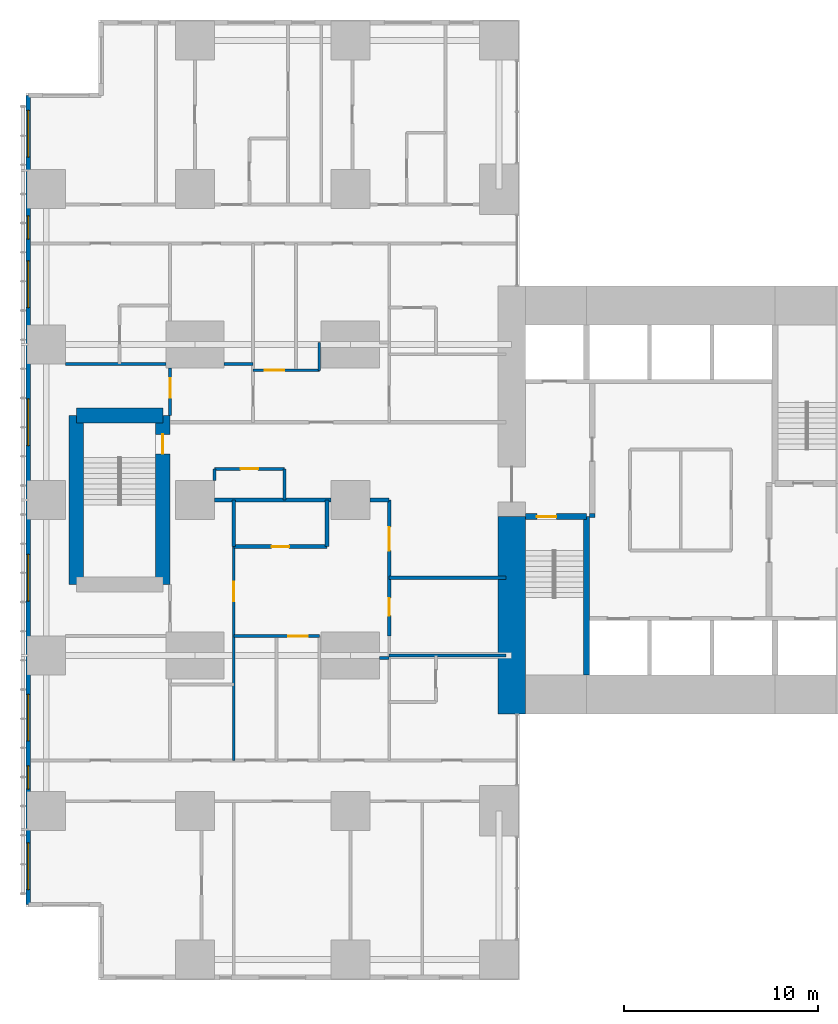
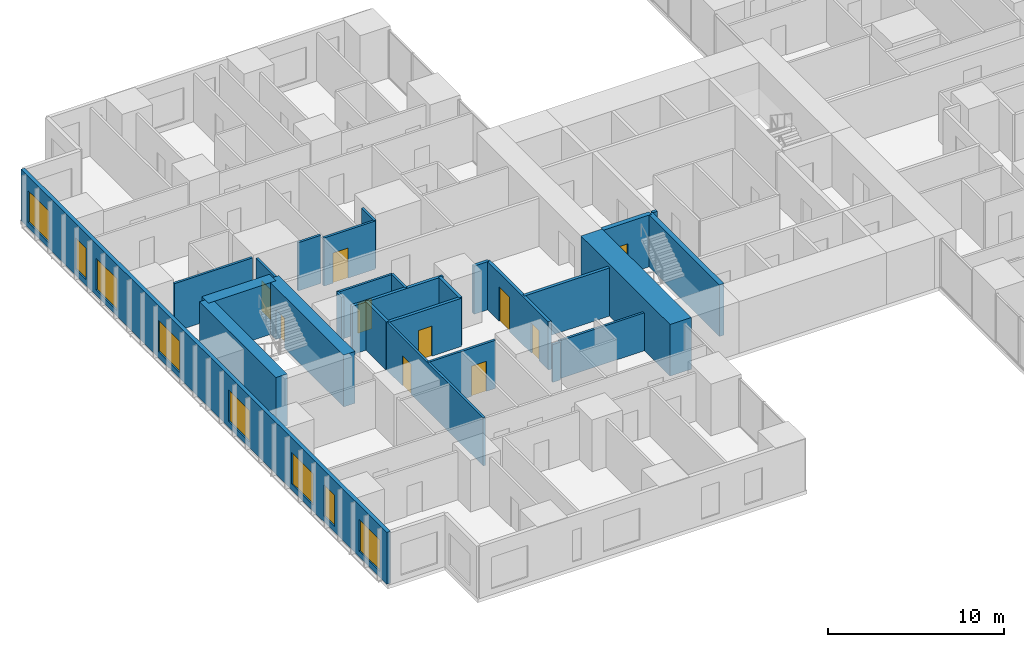
# One storey, part 13 of 21: 27 walls, 10 doors, 8 windows, 18 openings.
"""IFC4 building model written with IfcOpenShell, lengths in metres."""

from ifc_helpers import new_model, si_unit, direction, frame, frame_2d, origin, place, context, subcontext, project, spatial, rectangle, extrude, material, layer, layer_set, type_object, element, fill, save


model = new_model("IFC4")

# Units and contexts
model_context = context("Model", 3, precision=1e-05, world=origin(), true_north=direction((0.0, 1.0)))
body_context = subcontext(model_context, "Body", "Model", "MODEL_VIEW")
ifc_project = project(units=[si_unit("LENGTHUNIT", "METRE"), si_unit("AREAUNIT", "SQUARE_METRE"), si_unit("VOLUMEUNIT", "CUBIC_METRE"), si_unit("PLANEANGLEUNIT", "RADIAN"), si_unit("MASSUNIT", "GRAM", prefix="KILO")], contexts=[model_context])

# Site, building, storey
site_placement = place(None, origin())
site = spatial("IfcSite", under=ifc_project, at=site_placement, CompositionType="ELEMENT")
building_placement = place(site_placement, origin())
building = spatial("IfcBuilding", under=site, at=building_placement, Name="Cleftline Residences", CompositionType="ELEMENT")
storey_placement = place(building_placement, frame((0.0, 0.0, 125.0)))
storey = spatial("IfcBuildingStorey", under=building, at=storey_placement, Name="L32", CompositionType="ELEMENT", Elevation=125.0)

# Walls
ifc_material_1 = material(Name="Concrete B70", Category="concrete")
ifc_layer_1 = layer(ifc_material_1, 1.39990234375)
ifc_layer_set_1 = layer_set([ifc_layer_1], Name="CORE WALL 1400")
wall_type_1 = type_object("IfcWallType", Name="CORE WALL 1400", PredefinedType="SHEAR", material=ifc_layer_set_1)
wall_1_placement = place(storey_placement, frame((24.300048828125, 13.0, 0.0), z_axis=(0.0, 0.0, 1.0), x_axis=(0.0, 1.0, 0.0)))
element("IfcWall", 1, at=wall_1_placement, inside=storey, type_object=wall_type_1, Name="Core wall W0", PredefinedType="SHEAR", context=body_context, shape_type="SweptSolid", body=[
    extrude(rectangle(XDim=10.14990234375, YDim=1.39990234375, at=frame_2d((5.074951171875, 0.0))), origin(), (0.0, 0.0, 1.0), 3.60009765625),
])
ifc_material_2 = material(Name="Concrete B70", Category="concrete")
ifc_layer_2 = layer(ifc_material_2, 0.300048828125)
ifc_layer_set_2 = layer_set([ifc_layer_2], Name="CORE WALL 300")
wall_type_2 = type_object("IfcWallType", Name="CORE WALL 300", PredefinedType="SHEAR", material=ifc_layer_set_2)
wall_2_placement = place(storey_placement, frame((28.14990234375, 15.0, 0.0), z_axis=(0.0, 0.0, 1.0), x_axis=(0.0, 1.0, 0.0)))
element("IfcWall", 2, at=wall_2_placement, inside=storey, type_object=wall_type_2, Name="Core wall SA-E", PredefinedType="SHEAR", context=body_context, shape_type="SweptSolid", body=[
    extrude(rectangle(XDim=8.14990234375, YDim=0.300048828125, at=frame_2d((4.074951171875, 0.0))), origin(), (0.0, 0.0, 1.0), 3.60009765625),
])

# Wall, opening, door
wall_3_placement = place(storey_placement, frame((25.0, 23.14990234375, 0.0), z_axis=(0.0, 0.0, 1.0), x_axis=(1.0, 0.0, 0.0)))
wall_3 = element("IfcWall", 3, at=wall_3_placement, inside=storey, type_object=wall_type_2, Name="Core wall SA-N", PredefinedType="SHEAR", context=body_context, shape_type="SweptSolid", body=[
    extrude(rectangle(XDim=3.14990234375, YDim=0.300048828125, at=frame_2d((1.574951171875, 0.0))), origin(), (0.0, 0.0, 1.0), 3.60009765625),
])
opening_1_placement = place(wall_3_placement, frame((0.60009765625, 0.0, 0.0)))
opening_1 = element("IfcOpeningElement", 4, at=opening_1_placement, cuts=wall_3, Name="Opening D5", PredefinedType="OPENING", context=body_context, shape_type="SweptSolid", body=[
    extrude(rectangle(XDim=1.0, YDim=2.10009765625, at=frame_2d((0.5, 1.050048828125))), frame((0.0, 0.159912109375, 0.0), z_axis=(0.0, -1.0, 0.0), x_axis=(1.0, 0.0, 0.0)), (0.0, 0.0, 1.0), 0.320068359375),
])
ifc_material_3 = material(Name="Steel", Category="steel")
door_type_1 = type_object("IfcDoorType", Name="STAIR DOOR 1000X2100", OperationType="SINGLE_SWING_LEFT", PredefinedType="DOOR", material=ifc_material_3)
door_1_placement = place(opening_1_placement, origin())
door_1 = element("IfcDoor", 5, at=door_1_placement, inside=storey, type_object=door_type_1, Name="Stair A door", OperationType="SINGLE_SWING_RIGHT", OverallHeight=2.10009765625, OverallWidth=1.0, PredefinedType="DOOR", context=body_context, shape_type="SweptSolid", body=[
    extrude(rectangle(XDim=1.0, YDim=2.10009765625, at=frame_2d((0.5, 1.050048828125))), frame((0.0, 0.02490234375, 0.0), z_axis=(0.0, -1.0, 0.0), x_axis=(1.0, 0.0, 0.0)), (0.0, 0.0, 1.0), 0.050048828125),
])
fill(opening_1, door_1)

# Wall, openings, windows
ifc_material_4 = material(Name="Rendered reinforced concrete blockwork", Category="masonry")
ifc_layer_3 = layer(ifc_material_4, 0.25)
ifc_layer_set_3 = layer_set([ifc_layer_3], Name="EXTERNAL WALL 250")
wall_type_3 = type_object("IfcWallType", Name="EXTERNAL WALL 250", PredefinedType="SOLIDWALL", material=ifc_layer_set_3)
wall_4_placement = place(storey_placement, frame((-0.574951171875, 44.824951171875, 0.0), z_axis=(0.0, 0.0, 1.0), x_axis=(0.0, -1.0, 0.0)))
wall_4 = element("IfcWall", 6, at=wall_4_placement, inside=storey, type_object=wall_type_3, Name="External wall", PredefinedType="SOLIDWALL", context=body_context, shape_type="SweptSolid", body=[
    extrude(rectangle(XDim=41.64990234375, YDim=0.25, at=frame_2d((20.824951171875, 0.0))), origin(), (0.0, 0.0, 1.0), 3.60009765625),
])
opening_2_placement = place(wall_4_placement, frame((0.77490234375, 0.0, 0.39990234375)))
opening_2 = element("IfcOpeningElement", 7, at=opening_2_placement, cuts=wall_4, Name="Opening W12", PredefinedType="OPENING", context=body_context, shape_type="SweptSolid", body=[
    extrude(rectangle(XDim=2.39990234375, YDim=2.199951171875, at=frame_2d((1.199951171875, 1.10009765625))), frame((0.0, 0.135009765625, 0.0), z_axis=(0.0, -1.0, 0.0), x_axis=(1.0, 0.0, 0.0)), (0.0, 0.0, 1.0), 0.27001953125),
])
opening_3_placement = place(wall_4_placement, frame((6.199951171875, 0.0, 0.39990234375)))
opening_3 = element("IfcOpeningElement", 8, at=opening_3_placement, cuts=wall_4, Name="Opening W11", PredefinedType="OPENING", context=body_context, shape_type="SweptSolid", body=[
    extrude(rectangle(XDim=1.199951171875, YDim=2.199951171875, at=frame_2d((0.60009765625, 1.10009765625))), frame((0.0, 0.135009765625, 0.0), z_axis=(0.0, -1.0, 0.0), x_axis=(1.0, 0.0, 0.0)), (0.0, 0.0, 1.0), 0.27001953125),
])
opening_4_placement = place(wall_4_placement, frame((8.52490234375, 0.0, 0.39990234375)))
opening_4 = element("IfcOpeningElement", 9, at=opening_4_placement, cuts=wall_4, Name="Opening W12", PredefinedType="OPENING", context=body_context, shape_type="SweptSolid", body=[
    extrude(rectangle(XDim=2.39990234375, YDim=2.199951171875, at=frame_2d((1.199951171875, 1.10009765625))), frame((0.0, 0.135009765625, 0.0), z_axis=(0.0, -1.0, 0.0), x_axis=(1.0, 0.0, 0.0)), (0.0, 0.0, 1.0), 0.27001953125),
])
opening_5_placement = place(wall_4_placement, frame((15.625, 0.0, 0.39990234375)))
opening_5 = element("IfcOpeningElement", 10, at=opening_5_placement, cuts=wall_4, Name="Opening W12", PredefinedType="OPENING", context=body_context, shape_type="SweptSolid", body=[
    extrude(rectangle(XDim=2.39990234375, YDim=2.199951171875, at=frame_2d((1.199951171875, 1.10009765625))), frame((0.0, 0.135009765625, 0.0), z_axis=(0.0, -1.0, 0.0), x_axis=(1.0, 0.0, 0.0)), (0.0, 0.0, 1.0), 0.27001953125),
])
opening_6_placement = place(wall_4_placement, frame((23.625, 0.0, 0.39990234375)))
opening_6 = element("IfcOpeningElement", 11, at=opening_6_placement, cuts=wall_4, Name="Opening W12", PredefinedType="OPENING", context=body_context, shape_type="SweptSolid", body=[
    extrude(rectangle(XDim=2.39990234375, YDim=2.199951171875, at=frame_2d((1.199951171875, 1.10009765625))), frame((0.0, 0.135009765625, 0.0), z_axis=(0.0, -1.0, 0.0), x_axis=(1.0, 0.0, 0.0)), (0.0, 0.0, 1.0), 0.27001953125),
])
opening_7_placement = place(wall_4_placement, frame((30.824951171875, 0.0, 0.39990234375)))
opening_7 = element("IfcOpeningElement", 12, at=opening_7_placement, cuts=wall_4, Name="Opening W12", PredefinedType="OPENING", context=body_context, shape_type="SweptSolid", body=[
    extrude(rectangle(XDim=2.39990234375, YDim=2.199951171875, at=frame_2d((1.199951171875, 1.10009765625))), frame((0.0, 0.135009765625, 0.0), z_axis=(0.0, -1.0, 0.0), x_axis=(1.0, 0.0, 0.0)), (0.0, 0.0, 1.0), 0.27001953125),
])
opening_8_placement = place(wall_4_placement, frame((34.5, 0.0, 0.39990234375)))
opening_8 = element("IfcOpeningElement", 13, at=opening_8_placement, cuts=wall_4, Name="Opening W11", PredefinedType="OPENING", context=body_context, shape_type="SweptSolid", body=[
    extrude(rectangle(XDim=1.199951171875, YDim=2.199951171875, at=frame_2d((0.60009765625, 1.10009765625))), frame((0.0, 0.135009765625, 0.0), z_axis=(0.0, -1.0, 0.0), x_axis=(1.0, 0.0, 0.0)), (0.0, 0.0, 1.0), 0.27001953125),
])
opening_9_placement = place(wall_4_placement, frame((38.47509765625, 0.0, 0.39990234375)))
opening_9 = element("IfcOpeningElement", 14, at=opening_9_placement, cuts=wall_4, Name="Opening W12", PredefinedType="OPENING", context=body_context, shape_type="SweptSolid", body=[
    extrude(rectangle(XDim=2.39990234375, YDim=2.199951171875, at=frame_2d((1.199951171875, 1.10009765625))), frame((0.0, 0.135009765625, 0.0), z_axis=(0.0, -1.0, 0.0), x_axis=(1.0, 0.0, 0.0)), (0.0, 0.0, 1.0), 0.27001953125),
])
ifc_material_5 = material(Name="Aluminium frame, clear double glazing", Category="aluminium")
window_type_1 = type_object("IfcWindowType", Name="WINDOW 1200X2200", PartitioningType="DOUBLE_PANEL_VERTICAL", PredefinedType="WINDOW", material=ifc_material_5)
window_1_placement = place(opening_3_placement, origin())
window_1 = element("IfcWindow", 15, at=window_1_placement, inside=storey, type_object=window_type_1, Name="Window", OverallHeight=2.199951171875, OverallWidth=1.199951171875, PartitioningType="SINGLE_PANEL", PredefinedType="WINDOW", context=body_context, shape_type="SweptSolid", body=[
    extrude(rectangle(XDim=1.199951171875, YDim=2.199951171875, at=frame_2d((0.60009765625, 1.10009765625))), frame((0.0, 0.030029296875, 0.0), z_axis=(0.0, -1.0, 0.0), x_axis=(1.0, 0.0, 0.0)), (0.0, 0.0, 1.0), 0.06005859375),
])
fill(opening_3, window_1)
window_2_placement = place(opening_8_placement, origin())
window_2 = element("IfcWindow", 16, at=window_2_placement, inside=storey, type_object=window_type_1, Name="Window", OverallHeight=2.199951171875, OverallWidth=1.199951171875, PartitioningType="SINGLE_PANEL", PredefinedType="WINDOW", context=body_context, shape_type="SweptSolid", body=[
    extrude(rectangle(XDim=1.199951171875, YDim=2.199951171875, at=frame_2d((0.60009765625, 1.10009765625))), frame((0.0, 0.030029296875, 0.0), z_axis=(0.0, -1.0, 0.0), x_axis=(1.0, 0.0, 0.0)), (0.0, 0.0, 1.0), 0.06005859375),
])
fill(opening_8, window_2)
ifc_material_6 = material(Name="Aluminium frame, clear double glazing", Category="aluminium")
window_type_2 = type_object("IfcWindowType", Name="WINDOW 2400X2200", PartitioningType="DOUBLE_PANEL_VERTICAL", PredefinedType="WINDOW", material=ifc_material_6)
window_3_placement = place(opening_2_placement, origin())
window_3 = element("IfcWindow", 17, at=window_3_placement, inside=storey, type_object=window_type_2, Name="Window", OverallHeight=2.199951171875, OverallWidth=2.39990234375, PartitioningType="SINGLE_PANEL", PredefinedType="WINDOW", context=body_context, shape_type="SweptSolid", body=[
    extrude(rectangle(XDim=2.39990234375, YDim=2.199951171875, at=frame_2d((1.199951171875, 1.10009765625))), frame((0.0, 0.030029296875, 0.0), z_axis=(0.0, -1.0, 0.0), x_axis=(1.0, 0.0, 0.0)), (0.0, 0.0, 1.0), 0.06005859375),
])
fill(opening_2, window_3)
window_4_placement = place(opening_4_placement, origin())
window_4 = element("IfcWindow", 18, at=window_4_placement, inside=storey, type_object=window_type_2, Name="Window", OverallHeight=2.199951171875, OverallWidth=2.39990234375, PartitioningType="SINGLE_PANEL", PredefinedType="WINDOW", context=body_context, shape_type="SweptSolid", body=[
    extrude(rectangle(XDim=2.39990234375, YDim=2.199951171875, at=frame_2d((1.199951171875, 1.10009765625))), frame((0.0, 0.030029296875, 0.0), z_axis=(0.0, -1.0, 0.0), x_axis=(1.0, 0.0, 0.0)), (0.0, 0.0, 1.0), 0.06005859375),
])
fill(opening_4, window_4)
window_5_placement = place(opening_5_placement, origin())
window_5 = element("IfcWindow", 19, at=window_5_placement, inside=storey, type_object=window_type_2, Name="Window", OverallHeight=2.199951171875, OverallWidth=2.39990234375, PartitioningType="SINGLE_PANEL", PredefinedType="WINDOW", context=body_context, shape_type="SweptSolid", body=[
    extrude(rectangle(XDim=2.39990234375, YDim=2.199951171875, at=frame_2d((1.199951171875, 1.10009765625))), frame((0.0, 0.030029296875, 0.0), z_axis=(0.0, -1.0, 0.0), x_axis=(1.0, 0.0, 0.0)), (0.0, 0.0, 1.0), 0.06005859375),
])
fill(opening_5, window_5)
window_6_placement = place(opening_6_placement, origin())
window_6 = element("IfcWindow", 20, at=window_6_placement, inside=storey, type_object=window_type_2, Name="Window", OverallHeight=2.199951171875, OverallWidth=2.39990234375, PartitioningType="SINGLE_PANEL", PredefinedType="WINDOW", context=body_context, shape_type="SweptSolid", body=[
    extrude(rectangle(XDim=2.39990234375, YDim=2.199951171875, at=frame_2d((1.199951171875, 1.10009765625))), frame((0.0, 0.030029296875, 0.0), z_axis=(0.0, -1.0, 0.0), x_axis=(1.0, 0.0, 0.0)), (0.0, 0.0, 1.0), 0.06005859375),
])
fill(opening_6, window_6)
window_7_placement = place(opening_7_placement, origin())
window_7 = element("IfcWindow", 21, at=window_7_placement, inside=storey, type_object=window_type_2, Name="Window", OverallHeight=2.199951171875, OverallWidth=2.39990234375, PartitioningType="SINGLE_PANEL", PredefinedType="WINDOW", context=body_context, shape_type="SweptSolid", body=[
    extrude(rectangle(XDim=2.39990234375, YDim=2.199951171875, at=frame_2d((1.199951171875, 1.10009765625))), frame((0.0, 0.030029296875, 0.0), z_axis=(0.0, -1.0, 0.0), x_axis=(1.0, 0.0, 0.0)), (0.0, 0.0, 1.0), 0.06005859375),
])
fill(opening_7, window_7)
window_8_placement = place(opening_9_placement, origin())
window_8 = element("IfcWindow", 22, at=window_8_placement, inside=storey, type_object=window_type_2, Name="Window", OverallHeight=2.199951171875, OverallWidth=2.39990234375, PartitioningType="SINGLE_PANEL", PredefinedType="WINDOW", context=body_context, shape_type="SweptSolid", body=[
    extrude(rectangle(XDim=2.39990234375, YDim=2.199951171875, at=frame_2d((1.199951171875, 1.10009765625))), frame((0.0, 0.030029296875, 0.0), z_axis=(0.0, -1.0, 0.0), x_axis=(1.0, 0.0, 0.0)), (0.0, 0.0, 1.0), 0.06005859375),
])
fill(opening_9, window_8)

# Wall
ifc_material_7 = material(Name="Concrete blockwork, fire rated", Category="masonry")
ifc_layer_4 = layer(ifc_material_7, 0.199951171875)
ifc_layer_set_4 = layer_set([ifc_layer_4], Name="FIRE WALL 200")
wall_type_4 = type_object("IfcWallType", Name="FIRE WALL 200", PredefinedType="PARTITIONING", material=ifc_layer_set_4)
wall_5_placement = place(storey_placement, frame((18.0, 20.0, 0.0), z_axis=(0.0, 0.0, 1.0), x_axis=(1.0, 0.0, 0.0)))
element("IfcWall", 23, at=wall_5_placement, inside=storey, type_object=wall_type_4, Name="Fire separating wall", PredefinedType="PARTITIONING", context=body_context, shape_type="SweptSolid", body=[
    extrude(rectangle(XDim=6.0, YDim=0.199951171875, at=frame_2d((3.0, 0.0))), origin(), (0.0, 0.0, 1.0), 3.35009765625),
])

# Wall, opening, door
wall_6_placement = place(storey_placement, frame((10.0, 21.60009765625, 0.0), z_axis=(0.0, 0.0, 1.0), x_axis=(1.0, 0.0, 0.0)))
wall_6 = element("IfcWall", 24, at=wall_6_placement, inside=storey, type_object=wall_type_4, Name="Fire separating wall", PredefinedType="PARTITIONING", context=body_context, shape_type="SweptSolid", body=[
    extrude(rectangle(XDim=4.800048828125, YDim=0.199951171875, at=frame_2d((2.39990234375, 0.0))), origin(), (0.0, 0.0, 1.0), 3.35009765625),
])
opening_10_placement = place(wall_6_placement, frame((1.949951171875, 0.0, 0.0)))
opening_10 = element("IfcOpeningElement", 25, at=opening_10_placement, cuts=wall_6, Name="Opening D1F30", PredefinedType="OPENING", context=body_context, shape_type="SweptSolid", body=[
    extrude(rectangle(XDim=0.89990234375, YDim=2.10009765625, at=frame_2d((0.449951171875, 1.050048828125))), frame((0.0, 0.10986328125, 0.0), z_axis=(0.0, -1.0, 0.0), x_axis=(1.0, 0.0, 0.0)), (0.0, 0.0, 1.0), 0.219970703125),
])
ifc_material_8 = material(Name="Timber veneer on solid core", Category="wood")
door_type_2 = type_object("IfcDoorType", Name="DOOR 900X2100 EI 30", OperationType="SINGLE_SWING_LEFT", PredefinedType="DOOR", material=ifc_material_8)
door_2_placement = place(opening_10_placement, origin())
door_2 = element("IfcDoor", 26, at=door_2_placement, inside=storey, type_object=door_type_2, Name="Door to cloakroom wc", OperationType="SINGLE_SWING_LEFT", OverallHeight=2.10009765625, OverallWidth=0.89990234375, PredefinedType="DOOR", context=body_context, shape_type="SweptSolid", body=[
    extrude(rectangle(XDim=0.89990234375, YDim=2.10009765625, at=frame_2d((0.449951171875, 1.050048828125))), frame((0.0, 0.02490234375, 0.0), z_axis=(0.0, -1.0, 0.0), x_axis=(1.0, 0.0, 0.0)), (0.0, 0.0, 1.0), 0.050048828125),
])
fill(opening_10, door_2)

# Walls
wall_7_placement = place(storey_placement, frame((9.0, 24.0, 0.0), z_axis=(0.0, 0.0, 1.0), x_axis=(1.0, 0.0, 0.0)))
element("IfcWall", 27, at=wall_7_placement, inside=storey, type_object=wall_type_4, Name="Fire separating wall", PredefinedType="PARTITIONING", context=body_context, shape_type="SweptSolid", body=[
    extrude(rectangle(XDim=6.0, YDim=0.199951171875, at=frame_2d((3.0, 0.0))), origin(), (0.0, 0.0, 1.0), 3.35009765625),
])
wall_8_placement = place(storey_placement, frame((17.0, 24.0, 0.0), z_axis=(0.0, 0.0, 1.0), x_axis=(1.0, 0.0, 0.0)))
element("IfcWall", 28, at=wall_8_placement, inside=storey, type_object=wall_type_4, Name="Fire separating wall", PredefinedType="PARTITIONING", context=body_context, shape_type="SweptSolid", body=[
    extrude(rectangle(XDim=1.0, YDim=0.199951171875, at=frame_2d((0.5, 0.0))), origin(), (0.0, 0.0, 1.0), 3.35009765625),
])
for number, where, z_axis, x_axis, name in (
    (29, (10.0, 21.60009765625, 0.0), (0.0, 0.0, 1.0), (0.0, 1.0, 0.0), "Fire separating wall"),
    (30, (14.800048828125, 21.60009765625, 0.0), (0.0, 0.0, 1.0), (0.0, 1.0, 0.0), "Fire separating wall"),
):
    element("IfcWall", number, at=place(storey_placement, frame(where, z_axis=z_axis, x_axis=x_axis)), inside=storey, type_object=wall_type_4, Name=name, PredefinedType="PARTITIONING", context=body_context, shape_type="SweptSolid", body=[
        extrude(rectangle(XDim=2.39990234375, YDim=0.199951171875, at=frame_2d((1.199951171875, 0.0))), origin(), (0.0, 0.0, 1.0), 3.35009765625),
    ])

# Wall, openings, doors
wall_9_placement = place(storey_placement, frame((18.0, 17.0, 0.0), z_axis=(0.0, 0.0, 1.0), x_axis=(0.0, 1.0, 0.0)))
wall_9 = element("IfcWall", 31, at=wall_9_placement, inside=storey, type_object=wall_type_4, Name="Fire separating wall", PredefinedType="PARTITIONING", context=body_context, shape_type="SweptSolid", body=[
    extrude(rectangle(XDim=7.0, YDim=0.199951171875, at=frame_2d((3.5, 0.0))), origin(), (0.0, 0.0, 1.0), 3.35009765625),
])
opening_11_placement = place(wall_9_placement, frame((4.39990234375, 0.0, 0.0)))
opening_11 = element("IfcOpeningElement", 32, at=opening_11_placement, cuts=wall_9, Name="Opening D4", PredefinedType="OPENING", context=body_context, shape_type="SweptSolid", body=[
    extrude(rectangle(XDim=1.199951171875, YDim=2.39990234375, at=frame_2d((0.60009765625, 1.199951171875))), frame((0.0, 0.10986328125, 0.0), z_axis=(0.0, -1.0, 0.0), x_axis=(1.0, 0.0, 0.0)), (0.0, 0.0, 1.0), 0.219970703125),
])
opening_12_placement = place(wall_9_placement, frame((1.050048828125, 0.0, 0.0)))
opening_12 = element("IfcOpeningElement", 33, at=opening_12_placement, cuts=wall_9, Name="Opening D1F30", PredefinedType="OPENING", context=body_context, shape_type="SweptSolid", body=[
    extrude(rectangle(XDim=0.89990234375, YDim=2.10009765625, at=frame_2d((0.449951171875, 1.050048828125))), frame((0.0, 0.10986328125, 0.0), z_axis=(0.0, -1.0, 0.0), x_axis=(1.0, 0.0, 0.0)), (0.0, 0.0, 1.0), 0.219970703125),
])
ifc_material_9 = material(Name="Timber veneer on solid core", Category="wood")
door_type_3 = type_object("IfcDoorType", Name="APARTMENT ENTRANCE DOOR 1200X2400", OperationType="SINGLE_SWING_RIGHT", PredefinedType="DOOR", material=ifc_material_9)
door_3_placement = place(opening_11_placement, origin())
door_3 = element("IfcDoor", 34, at=door_3_placement, inside=storey, type_object=door_type_3, Name="Door to residence entrance foyer", OperationType="SINGLE_SWING_LEFT", OverallHeight=2.39990234375, OverallWidth=1.199951171875, PredefinedType="DOOR", context=body_context, shape_type="SweptSolid", body=[
    extrude(rectangle(XDim=1.199951171875, YDim=2.39990234375, at=frame_2d((0.60009765625, 1.199951171875))), frame((0.0, 0.02490234375, 0.0), z_axis=(0.0, -1.0, 0.0), x_axis=(1.0, 0.0, 0.0)), (0.0, 0.0, 1.0), 0.050048828125),
])
fill(opening_11, door_3)
door_4_placement = place(opening_12_placement, origin())
door_4 = element("IfcDoor", 35, at=door_4_placement, inside=storey, type_object=door_type_2, Name="Door to laundry", OperationType="SINGLE_SWING_RIGHT", OverallHeight=2.10009765625, OverallWidth=0.89990234375, PredefinedType="DOOR", context=body_context, shape_type="SweptSolid", body=[
    extrude(rectangle(XDim=0.89990234375, YDim=2.10009765625, at=frame_2d((0.449951171875, 1.050048828125))), frame((0.0, 0.02490234375, 0.0), z_axis=(0.0, -1.0, 0.0), x_axis=(1.0, 0.0, 0.0)), (0.0, 0.0, 1.0), 0.050048828125),
])
fill(opening_12, door_4)

# Walls
wall_10_placement = place(storey_placement, frame((28.300048828125, 23.199951171875, 0.0), z_axis=(0.0, 0.0, 1.0), x_axis=(1.0, 0.0, 0.0)))
element("IfcWall", 36, at=wall_10_placement, inside=storey, type_object=wall_type_4, Name="Fire separating wall", PredefinedType="PARTITIONING", context=body_context, shape_type="SweptSolid", body=[
    extrude(rectangle(XDim=0.300048828125, YDim=0.199951171875, at=frame_2d((0.14990234375, 0.0))), origin(), (0.0, 0.0, 1.0), 3.60009765625),
])
ifc_material_10 = material(Name="Gypsum board on steel studs", Category="steel")
ifc_layer_5 = layer(ifc_material_10, 0.14990234375)
ifc_layer_set_5 = layer_set([ifc_layer_5], Name="PARTITION 150")
wall_type_5 = type_object("IfcWallType", Name="PARTITION 150", PredefinedType="PARTITIONING", material=ifc_layer_set_5)
wall_11_placement = place(storey_placement, frame((17.5, 15.875, 0.0), z_axis=(0.0, 0.0, 1.0), x_axis=(1.0, 0.0, 0.0)))
element("IfcWall", 37, at=wall_11_placement, inside=storey, type_object=wall_type_5, Name="Partition", PredefinedType="PARTITIONING", context=body_context, shape_type="SweptSolid", body=[
    extrude(rectangle(XDim=0.5, YDim=0.14990234375, at=frame_2d((0.25, 0.0))), origin(), (0.0, 0.0, 1.0), 2.634033203125),
])
wall_12_placement = place(storey_placement, frame((18.0, 16.0, 0.0), z_axis=(0.0, 0.0, 1.0), x_axis=(1.0, 0.0, 0.0)))
element("IfcWall", 38, at=wall_12_placement, inside=storey, type_object=wall_type_5, Name="Partition", PredefinedType="PARTITIONING", context=body_context, shape_type="SweptSolid", body=[
    extrude(rectangle(XDim=6.0, YDim=0.14990234375, at=frame_2d((3.0, 0.0))), origin(), (0.0, 0.0, 1.0), 2.634033203125),
])

# Wall, opening, door
wall_13_placement = place(storey_placement, frame((10.0, 17.0, 0.0), z_axis=(0.0, 0.0, 1.0), x_axis=(1.0, 0.0, 0.0)))
wall_13 = element("IfcWall", 39, at=wall_13_placement, inside=storey, type_object=wall_type_5, Name="Partition", PredefinedType="PARTITIONING", context=body_context, shape_type="SweptSolid", body=[
    extrude(rectangle(XDim=4.39990234375, YDim=0.14990234375, at=frame_2d((2.199951171875, 0.0))), origin(), (0.0, 0.0, 1.0), 3.35009765625),
])
opening_13_placement = place(wall_13_placement, frame((2.800048828125, 0.0, 0.0)))
opening_13 = element("IfcOpeningElement", 40, at=opening_13_placement, cuts=wall_13, Name="Opening D2", PredefinedType="OPENING", context=body_context, shape_type="SweptSolid", body=[
    extrude(rectangle(XDim=1.0, YDim=2.10009765625, at=frame_2d((0.5, 1.050048828125))), frame((0.0, 0.0849609375, 0.0), z_axis=(0.0, -1.0, 0.0), x_axis=(1.0, 0.0, 0.0)), (0.0, 0.0, 1.0), 0.169921875),
])
ifc_material_11 = material(Name="Timber veneer on solid core", Category="wood")
door_type_4 = type_object("IfcDoorType", Name="DOOR 1000X2100", OperationType="SINGLE_SWING_LEFT", PredefinedType="DOOR", material=ifc_material_11)
door_5_placement = place(opening_13_placement, origin())
door_5 = element("IfcDoor", 41, at=door_5_placement, inside=storey, type_object=door_type_4, Name="Door to residence passage", OperationType="SINGLE_SWING_LEFT", OverallHeight=2.10009765625, OverallWidth=1.0, PredefinedType="DOOR", context=body_context, shape_type="SweptSolid", body=[
    extrude(rectangle(XDim=1.0, YDim=2.10009765625, at=frame_2d((0.5, 1.050048828125))), frame((0.0, 0.02490234375, 0.0), z_axis=(0.0, -1.0, 0.0), x_axis=(1.0, 0.0, 0.0)), (0.0, 0.0, 1.0), 0.050048828125),
])
fill(opening_13, door_5)

wall_14_placement = place(storey_placement, frame((9.0, 25.60009765625, 0.0), z_axis=(0.0, 0.0, 1.0), x_axis=(1.0, 0.0, 0.0)))
wall_14 = element("IfcWall", 42, at=wall_14_placement, inside=storey, type_object=wall_type_5, Name="Partition", PredefinedType="PARTITIONING", context=body_context, shape_type="SweptSolid", body=[
    extrude(rectangle(XDim=3.60009765625, YDim=0.14990234375, at=frame_2d((1.800048828125, 0.0))), origin(), (0.0, 0.0, 1.0), 3.35009765625),
])
opening_14_placement = place(wall_14_placement, frame((1.35009765625, 0.0, 0.0)))
opening_14 = element("IfcOpeningElement", 43, at=opening_14_placement, cuts=wall_14, Name="Opening D1", PredefinedType="OPENING", context=body_context, shape_type="SweptSolid", body=[
    extrude(rectangle(XDim=0.89990234375, YDim=2.10009765625, at=frame_2d((0.449951171875, 1.050048828125))), frame((0.0, 0.0849609375, 0.0), z_axis=(0.0, -1.0, 0.0), x_axis=(1.0, 0.0, 0.0)), (0.0, 0.0, 1.0), 0.169921875),
])
ifc_material_12 = material(Name="Timber veneer on solid core", Category="wood")
door_type_5 = type_object("IfcDoorType", Name="DOOR 900X2100", OperationType="SINGLE_SWING_LEFT", PredefinedType="DOOR", material=ifc_material_12)
door_6_placement = place(opening_14_placement, origin())
door_6 = element("IfcDoor", 44, at=door_6_placement, inside=storey, type_object=door_type_5, Name="Door to residents' storage room", OperationType="SINGLE_SWING_LEFT", OverallHeight=2.10009765625, OverallWidth=0.89990234375, PredefinedType="DOOR", context=body_context, shape_type="SweptSolid", body=[
    extrude(rectangle(XDim=0.89990234375, YDim=2.10009765625, at=frame_2d((0.449951171875, 1.050048828125))), frame((0.0, 0.02490234375, 0.0), z_axis=(0.0, -1.0, 0.0), x_axis=(1.0, 0.0, 0.0)), (0.0, 0.0, 1.0), 0.050048828125),
])
fill(opening_14, door_6)

wall_15_placement = place(storey_placement, frame((11.0, 30.675048828125, 0.0), z_axis=(0.0, 0.0, 1.0), x_axis=(1.0, 0.0, 0.0)))
wall_15 = element("IfcWall", 45, at=wall_15_placement, inside=storey, type_object=wall_type_5, Name="Partition", PredefinedType="PARTITIONING", context=body_context, shape_type="SweptSolid", body=[
    extrude(rectangle(XDim=3.39990234375, YDim=0.14990234375, at=frame_2d((1.699951171875, 0.0))), origin(), (0.0, 0.0, 1.0), 3.35009765625),
])
opening_15_placement = place(wall_15_placement, frame((0.60009765625, 0.0, 0.0)))
opening_15 = element("IfcOpeningElement", 46, at=opening_15_placement, cuts=wall_15, Name="Opening D2", PredefinedType="OPENING", context=body_context, shape_type="SweptSolid", body=[
    extrude(rectangle(XDim=1.0, YDim=2.10009765625, at=frame_2d((0.5, 1.050048828125))), frame((0.0, 0.0849609375, 0.0), z_axis=(0.0, -1.0, 0.0), x_axis=(1.0, 0.0, 0.0)), (0.0, 0.0, 1.0), 0.169921875),
])
door_7_placement = place(opening_15_placement, origin())
door_7 = element("IfcDoor", 47, at=door_7_placement, inside=storey, type_object=door_type_4, Name="Door to residence passage", OperationType="SINGLE_SWING_RIGHT", OverallHeight=2.10009765625, OverallWidth=1.0, PredefinedType="DOOR", context=body_context, shape_type="SweptSolid", body=[
    extrude(rectangle(XDim=1.0, YDim=2.10009765625, at=frame_2d((0.5, 1.050048828125))), frame((0.0, 0.02490234375, 0.0), z_axis=(0.0, -1.0, 0.0), x_axis=(1.0, 0.0, 0.0)), (0.0, 0.0, 1.0), 0.050048828125),
])
fill(opening_15, door_7)

# Walls
wall_16_placement = place(storey_placement, frame((1.35009765625, 31.0, 0.0), z_axis=(0.0, 0.0, 1.0), x_axis=(1.0, 0.0, 0.0)))
element("IfcWall", 48, at=wall_16_placement, inside=storey, type_object=wall_type_5, Name="Partition", PredefinedType="PARTITIONING", context=body_context, shape_type="SweptSolid", body=[
    extrude(rectangle(XDim=5.14990234375, YDim=0.14990234375, at=frame_2d((2.574951171875, 0.0))), origin(), (0.0, 0.0, 1.0), 3.35009765625),
])
wall_17_placement = place(storey_placement, frame((9.5, 31.0, 0.0), z_axis=(0.0, 0.0, 1.0), x_axis=(1.0, 0.0, 0.0)))
element("IfcWall", 49, at=wall_17_placement, inside=storey, type_object=wall_type_5, Name="Partition", PredefinedType="PARTITIONING", context=body_context, shape_type="SweptSolid", body=[
    extrude(rectangle(XDim=1.5, YDim=0.14990234375, at=frame_2d((0.75, 0.0))), origin(), (0.0, 0.0, 1.0), 3.35009765625),
])

# Wall, opening, door
wall_18_placement = place(storey_placement, frame((6.72509765625, 28.35009765625, 0.0), z_axis=(0.0, 0.0, 1.0), x_axis=(0.0, 1.0, 0.0)))
wall_18 = element("IfcWall", 50, at=wall_18_placement, inside=storey, type_object=wall_type_5, Name="Partition", PredefinedType="PARTITIONING", context=body_context, shape_type="SweptSolid", body=[
    extrude(rectangle(XDim=2.449951171875, YDim=0.14990234375, at=frame_2d((1.22509765625, 0.0))), origin(), (0.0, 0.0, 1.0), 3.35009765625),
])
opening_16_placement = place(wall_18_placement, frame((0.91259765625, 0.0, 0.0)))
opening_16 = element("IfcOpeningElement", 51, at=opening_16_placement, cuts=wall_18, Name="Opening D2", PredefinedType="OPENING", context=body_context, shape_type="SweptSolid", body=[
    extrude(rectangle(XDim=1.0, YDim=2.10009765625, at=frame_2d((0.5, 1.050048828125))), frame((0.0, 0.0849609375, 0.0), z_axis=(0.0, -1.0, 0.0), x_axis=(1.0, 0.0, 0.0)), (0.0, 0.0, 1.0), 0.169921875),
])
door_8_placement = place(opening_16_placement, origin())
door_8 = element("IfcDoor", 52, at=door_8_placement, inside=storey, type_object=door_type_4, Name="Door to altar room", OperationType="SINGLE_SWING_LEFT", OverallHeight=2.10009765625, OverallWidth=1.0, PredefinedType="DOOR", context=body_context, shape_type="SweptSolid", body=[
    extrude(rectangle(XDim=1.0, YDim=2.10009765625, at=frame_2d((0.5, 1.050048828125))), frame((0.0, 0.02490234375, 0.0), z_axis=(0.0, -1.0, 0.0), x_axis=(1.0, 0.0, 0.0)), (0.0, 0.0, 1.0), 0.050048828125),
])
fill(opening_16, door_8)

# Wall
wall_19_placement = place(storey_placement, frame((9.0, 25.0, 0.0), z_axis=(0.0, 0.0, 1.0), x_axis=(0.0, 1.0, 0.0)))
element("IfcWall", 53, at=wall_19_placement, inside=storey, type_object=wall_type_5, Name="Partition", PredefinedType="PARTITIONING", context=body_context, shape_type="SweptSolid", body=[
    extrude(rectangle(XDim=0.60009765625, YDim=0.14990234375, at=frame_2d((0.300048828125, 0.0))), origin(), (0.0, 0.0, 1.0), 3.35009765625),
])

# Wall, opening, door
wall_20_placement = place(storey_placement, frame((10.0, 10.60009765625, 0.0), z_axis=(0.0, 0.0, 1.0), x_axis=(0.0, 1.0, 0.0)))
wall_20 = element("IfcWall", 54, at=wall_20_placement, inside=storey, type_object=wall_type_5, Name="Partition", PredefinedType="PARTITIONING", context=body_context, shape_type="SweptSolid", body=[
    extrude(rectangle(XDim=11.0, YDim=0.14990234375, at=frame_2d((5.5, 0.0))), origin(), (0.0, 0.0, 1.0), 3.35009765625),
])
opening_17_placement = place(wall_20_placement, frame((8.199951171875, 0.0, 0.0)))
opening_17 = element("IfcOpeningElement", 55, at=opening_17_placement, cuts=wall_20, Name="Opening D2F30", PredefinedType="OPENING", context=body_context, shape_type="SweptSolid", body=[
    extrude(rectangle(XDim=1.0, YDim=2.10009765625, at=frame_2d((0.5, 1.050048828125))), frame((0.0, 0.0849609375, 0.0), z_axis=(0.0, -1.0, 0.0), x_axis=(1.0, 0.0, 0.0)), (0.0, 0.0, 1.0), 0.169921875),
])
ifc_material_13 = material(Name="Timber veneer on solid core", Category="wood")
door_type_6 = type_object("IfcDoorType", Name="DOOR 1000X2100 EI 30", OperationType="SINGLE_SWING_LEFT", PredefinedType="DOOR", material=ifc_material_13)
door_9_placement = place(opening_17_placement, origin())
door_9 = element("IfcDoor", 56, at=door_9_placement, inside=storey, type_object=door_type_6, Name="Door to residence lobby", OperationType="SINGLE_SWING_LEFT", OverallHeight=2.10009765625, OverallWidth=1.0, PredefinedType="DOOR", context=body_context, shape_type="SweptSolid", body=[
    extrude(rectangle(XDim=1.0, YDim=2.10009765625, at=frame_2d((0.5, 1.050048828125))), frame((0.0, 0.02490234375, 0.0), z_axis=(0.0, -1.0, 0.0), x_axis=(1.0, 0.0, 0.0)), (0.0, 0.0, 1.0), 0.050048828125),
])
fill(opening_17, door_9)

# Walls
wall_21_placement = place(storey_placement, frame((12.60009765625, 24.0, 0.0), z_axis=(0.0, 0.0, 1.0), x_axis=(0.0, 1.0, 0.0)))
element("IfcWall", 57, at=wall_21_placement, inside=storey, type_object=wall_type_5, Name="Partition", PredefinedType="PARTITIONING", context=body_context, shape_type="SweptSolid", body=[
    extrude(rectangle(XDim=1.60009765625, YDim=0.14990234375, at=frame_2d((0.800048828125, 0.0))), origin(), (0.0, 0.0, 1.0), 3.35009765625),
])
wall_22_placement = place(storey_placement, frame((14.39990234375, 30.675048828125, 0.0), z_axis=(0.0, 0.0, 1.0), x_axis=(0.0, 1.0, 0.0)))
element("IfcWall", 58, at=wall_22_placement, inside=storey, type_object=wall_type_5, Name="Partition", PredefinedType="PARTITIONING", context=body_context, shape_type="SweptSolid", body=[
    extrude(rectangle(XDim=1.425048828125, YDim=0.14990234375, at=frame_2d((0.71240234375, 0.0))), origin(), (0.0, 0.0, 1.0), 3.35009765625),
])

# Wall, opening, door
ifc_material_14 = material(Name="Concrete B70", Category="concrete")
ifc_layer_6 = layer(ifc_material_14, 0.75)
ifc_layer_set_6 = layer_set([ifc_layer_6], Name="SHEAR WALL 750")
wall_type_6 = type_object("IfcWallType", Name="SHEAR WALL 750", PredefinedType="SHEAR", material=ifc_layer_set_6)
wall_23_placement = place(storey_placement, frame((6.35009765625, 19.64990234375, 0.0), z_axis=(0.0, 0.0, 1.0), x_axis=(0.0, 1.0, 0.0)))
wall_23 = element("IfcWall", 59, at=wall_23_placement, inside=storey, type_object=wall_type_6, Name="Wing shear wall", PredefinedType="SHEAR", context=body_context, shape_type="SweptSolid", body=[
    extrude(rectangle(XDim=8.7001953125, YDim=0.75, at=frame_2d((4.35009765625, 0.0))), origin(), (0.0, 0.0, 1.0), 3.60009765625),
])
opening_18_placement = place(wall_23_placement, frame((6.72509765625, 0.0, 0.0)))
opening_18 = element("IfcOpeningElement", 60, at=opening_18_placement, cuts=wall_23, Name="Opening D5", PredefinedType="OPENING", context=body_context, shape_type="SweptSolid", body=[
    extrude(rectangle(XDim=1.0, YDim=2.10009765625, at=frame_2d((0.5, 1.050048828125))), frame((0.0, 0.385009765625, 0.0), z_axis=(0.0, -1.0, 0.0), x_axis=(1.0, 0.0, 0.0)), (0.0, 0.0, 1.0), 0.77001953125),
])
door_10_placement = place(opening_18_placement, origin())
door_10 = element("IfcDoor", 61, at=door_10_placement, inside=storey, type_object=door_type_1, Name="Stair W door", OperationType="SINGLE_SWING_LEFT", OverallHeight=2.10009765625, OverallWidth=1.0, PredefinedType="DOOR", context=body_context, shape_type="SweptSolid", body=[
    extrude(rectangle(XDim=1.0, YDim=2.10009765625, at=frame_2d((0.5, 1.050048828125))), frame((0.0, 0.02490234375, 0.0), z_axis=(0.0, -1.0, 0.0), x_axis=(1.0, 0.0, 0.0)), (0.0, 0.0, 1.0), 0.050048828125),
])
fill(opening_18, door_10)

# Walls
wall_24_placement = place(storey_placement, frame((6.35009765625, 28.35009765625, 0.0), z_axis=(0.0, 0.0, 1.0), x_axis=(-1.0, 0.0, 0.0)))
element("IfcWall", 62, at=wall_24_placement, inside=storey, type_object=wall_type_6, Name="Wing shear wall", PredefinedType="SHEAR", context=body_context, shape_type="SweptSolid", body=[
    extrude(rectangle(XDim=4.4501953125, YDim=0.75, at=frame_2d((2.22509765625, 0.0))), origin(), (0.0, 0.0, 1.0), 3.60009765625),
])
wall_25_placement = place(storey_placement, frame((1.89990234375, 28.35009765625, 0.0), z_axis=(0.0, 0.0, 1.0), x_axis=(0.0, -1.0, 0.0)))
element("IfcWall", 63, at=wall_25_placement, inside=storey, type_object=wall_type_6, Name="Wing shear wall", PredefinedType="SHEAR", context=body_context, shape_type="SweptSolid", body=[
    extrude(rectangle(XDim=8.7001953125, YDim=0.75, at=frame_2d((4.35009765625, 0.0))), origin(), (0.0, 0.0, 1.0), 3.60009765625),
])

save(model, "model.ifc")
